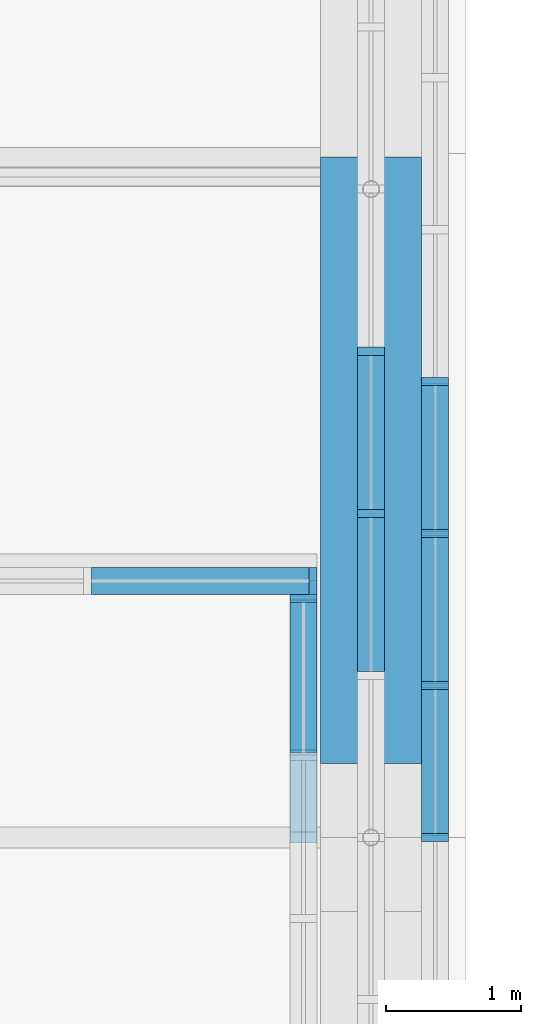
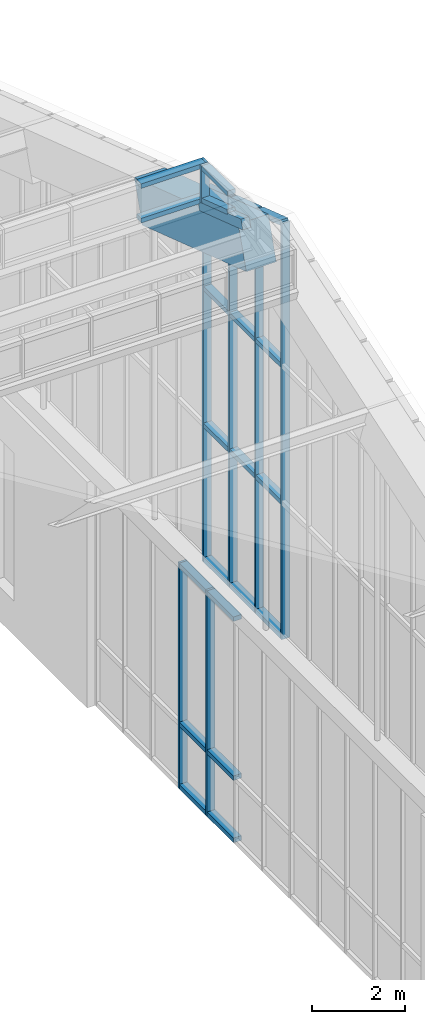
# One storey, part 98 of 149: 31 members, 1 beam, 4 elements without a shape of their own.
"""IFC4 building model written with IfcOpenShell, lengths in metres."""

import ifcopenshell
import ifcopenshell.guid

model = None  # the IFC model being written
_history = None  # IfcOwnerHistory: only IFC2X3 demands one
_inside = {}  # id of a spatial element -> (the spatial element, [elements in it])
_under = {}  # id of a project, library or spatial element -> (it, [spatial elements below it])
_declared = {}  # id of a project -> (the project, [libraries it declares])
_typed = {}  # id of a type object -> (the type object, [elements of that type])
_made_of = {}  # id of a material, layer set ... -> (it, [elements and type objects made of it])


def new_model(schema):
    """Start an empty IFC model of exactly this schema.

    Asked for "IFC4X3", IfcOpenShell would pick the latest addendum, in which some entities
    have other attributes; the version numbers below select the first issue.
    IFC2X3 requires an IfcOwnerHistory on every rooted entity: one is made here for all.
    """
    global model, _history
    if schema == "IFC4X3":
        model = ifcopenshell.file(schema_version=(4, 3, 0, 0))
    else:
        model = ifcopenshell.file(schema=schema)
    _inside.clear()
    _under.clear()
    _declared.clear()
    _typed.clear()
    _made_of.clear()
    _history = None
    if model.schema == "IFC2X3":
        org = make("IfcOrganization", Name="unknown")
        user = make(
            "IfcPersonAndOrganization",
            ThePerson=make("IfcPerson", FamilyName="unknown"),
            TheOrganization=org,
        )
        app = make(
            "IfcApplication",
            ApplicationDeveloper=org,
            Version="unknown",
            ApplicationFullName="unknown",
            ApplicationIdentifier="unknown",
        )
        _history = make(
            "IfcOwnerHistory",
            OwningUser=user,
            OwningApplication=app,
            ChangeAction="ADDED",
            CreationDate=0,
        )
    return model


def make(cls, **values):
    """One entity of the class cls with the attributes given. An attribute that is None is left unset."""
    return model.create_entity(
        cls, **{name: value for name, value in values.items() if value is not None}
    )


def rooted(cls, **values):
    """An entity with a GlobalId (a new one), such as an element, a storey or a relation."""
    return make(cls, GlobalId=ifcopenshell.guid.new(), OwnerHistory=_history, **values)


def si_unit(unit_type, name, prefix=None):
    """IfcSIUnit, for example si_unit("LENGTHUNIT", "METRE", prefix="MILLI")."""
    return make("IfcSIUnit", UnitType=unit_type, Prefix=prefix, Name=name)


def assignment(units):
    """IfcUnitAssignment: the units of a project."""
    return None if units is None else make("IfcUnitAssignment", Units=units)


def point(xyz):
    """IfcCartesianPoint."""
    return None if xyz is None else make("IfcCartesianPoint", Coordinates=xyz)


def direction(xyz):
    """IfcDirection."""
    return None if xyz is None else make("IfcDirection", DirectionRatios=xyz)


def frame(location, z_axis=None, x_axis=None):
    """IfcAxis2Placement3D, a coordinate frame: its origin and axes. An axis left out is left unset."""
    return make(
        "IfcAxis2Placement3D",
        Location=point(location),
        Axis=direction(z_axis),
        RefDirection=direction(x_axis),
    )


def frame_2d(location, x_axis=None):
    """IfcAxis2Placement2D, a coordinate frame in the plane: its origin and x axis."""
    return make(
        "IfcAxis2Placement2D", Location=point(location), RefDirection=direction(x_axis)
    )


def origin():
    """The frame at (0, 0, 0) with its axes left unset."""
    return frame((0.0, 0.0, 0.0))


def origin_2d():
    """The frame at (0, 0) in the plane with its x axis left unset."""
    return frame_2d((0.0, 0.0))


def place(relative_to, where):
    """IfcLocalPlacement: puts the frame where relative to a parent placement (None: the world)."""
    return make(
        "IfcLocalPlacement", PlacementRelTo=relative_to, RelativePlacement=where
    )


def context(
    kind, dimensions, precision=None, world=None, true_north=None, identifier=None
):
    """IfcGeometricRepresentationContext, for example the 3D "Model" context."""
    return make(
        "IfcGeometricRepresentationContext",
        ContextIdentifier=identifier,
        ContextType=kind,
        CoordinateSpaceDimension=dimensions,
        Precision=precision,
        WorldCoordinateSystem=world,
        TrueNorth=true_north,
    )


def subcontext(parent, identifier, kind, view, scale=None):
    """IfcGeometricRepresentationSubContext, for example "Body" below "Model"."""
    return make(
        "IfcGeometricRepresentationSubContext",
        ContextIdentifier=identifier,
        ContextType=kind,
        ParentContext=parent,
        TargetScale=scale,
        TargetView=view,
    )


def project(units=None, contexts=None):
    """IfcProject with its units and contexts."""
    return rooted(
        "IfcProject",
        Name="project",
        RepresentationContexts=contexts,
        UnitsInContext=assignment(units),
    )


def spatial(cls, under=None, at=None, **own):
    """A site, building, storey or space (cls), placed at a placement, below another one or the project."""
    s = rooted(cls, ObjectPlacement=at, **own)
    if under is not None:
        _under.setdefault(under.id(), (under, []))[1].append(s)
    return s


def profile(cls, at=None, kind="AREA", **sizes):
    """A parametric profile (cls). Its sizes go by their IFC names, for example OverallWidth=200.0."""
    return make(cls, ProfileType=kind, Position=at, **sizes)


def rectangle(**sizes):
    """IfcRectangleProfileDef."""
    return profile("IfcRectangleProfileDef", **sizes)


def extrude(swept, where, along, depth):
    """IfcExtrudedAreaSolid: the profile swept, set in the frame where, extruded along a direction by depth."""
    return make(
        "IfcExtrudedAreaSolid",
        SweptArea=swept,
        Position=where,
        ExtrudedDirection=direction(along),
        Depth=depth,
    )


def shape(context_of_items, identifier, shape_type, items):
    """IfcShapeRepresentation: the items that make up one representation, for example the "Body"."""
    return make(
        "IfcShapeRepresentation",
        ContextOfItems=context_of_items,
        RepresentationIdentifier=identifier,
        RepresentationType=shape_type,
        Items=items,
    )


def material(Name=None, Category=None):
    """IfcMaterial."""
    return make("IfcMaterial", Name=Name, Category=Category)


def material_profile(
    of_material, cross_section, Name=None, Category=None, Priority=None
):
    """IfcMaterialProfile: a cross section and its material."""
    return make(
        "IfcMaterialProfile",
        Name=Name,
        Material=of_material,
        Profile=cross_section,
        Priority=Priority,
        Category=Category,
    )


def profile_set(profiles, Name=None, composite=None):
    """IfcMaterialProfileSet."""
    return make(
        "IfcMaterialProfileSet",
        Name=Name,
        MaterialProfiles=profiles,
        CompositeProfile=composite,
    )


def made_of(thing, what):
    """Note that an element or type object is made of a material, layer set ...; save() writes the relation."""
    if what is not None:
        _made_of.setdefault(what.id(), (what, []))[1].append(thing)
    return thing


def type_object(cls, material=None, **own):
    """A type object (cls), such as IfcWallType, which elements share."""
    return made_of(rooted(cls, **own), material)


def element(
    cls,
    number,
    at=None,
    inside=None,
    cuts=None,
    type_object=None,
    material=None,
    context=None,
    identifier="Body",
    shape_type=None,
    held_by="IfcProductDefinitionShape",
    body=None,
    shapes=None,
    **own,
):
    """One element of the class cls, such as IfcWall. Its Tag is "e" and its number.

    at: its placement. inside: the storey or other place that contains it. cuts: it is an
    opening in that element (IfcRelVoidsElement). A single representation is given by context,
    identifier, shape_type and body (its items); several are given by shapes. held_by: the class
    of the entity that holds the representations. save() writes the other relations.
    """
    e = rooted(cls, Tag="e%d" % number, ObjectPlacement=at, **own)
    if body is not None:
        shapes = [shape(context, identifier, shape_type, body)]
    if shapes is not None:
        e.Representation = make(held_by, Representations=shapes)
    if inside is not None:
        _inside.setdefault(inside.id(), (inside, []))[1].append(e)
    if cuts is not None:
        rooted(
            "IfcRelVoidsElement", RelatingBuildingElement=cuts, RelatedOpeningElement=e
        )
    if type_object is not None:
        _typed.setdefault(type_object.id(), (type_object, []))[1].append(e)
    return made_of(e, material)


def aggregate(whole, parts):
    """IfcRelAggregates: a whole, such as a stair, and the parts it consists of."""
    return rooted("IfcRelAggregates", RelatingObject=whole, RelatedObjects=parts)


def save(model, path):
    """Write the relations noted so far, then the file.

    IfcRelAggregates (storeys below a building ...), IfcRelContainedInSpatialStructure (elements
    in a storey), IfcRelDefinesByType, IfcRelAssociatesMaterial and IfcRelDeclares: one each for
    every whole, place, type object, material and project.
    """
    for whole, parts in _under.values():
        aggregate(whole, parts)
    for where, things in _inside.values():
        rooted(
            "IfcRelContainedInSpatialStructure",
            RelatedElements=things,
            RelatingStructure=where,
        )
    for kind, things in _typed.values():
        rooted("IfcRelDefinesByType", RelatedObjects=things, RelatingType=kind)
    for what, things in _made_of.values():
        rooted("IfcRelAssociatesMaterial", RelatedObjects=things, RelatingMaterial=what)
    for by, libraries in _declared.values():
        rooted("IfcRelDeclares", RelatingContext=by, RelatedDefinitions=libraries)
    model.write(path)


model = new_model("IFC4")

# Units and contexts
model_context = context("Model", 3, precision=1e-05, world=origin(), true_north=direction((0.0, 1.0)))
body_context = subcontext(model_context, "Body", "Model", "MODEL_VIEW")
ifc_project = project(units=[si_unit("LENGTHUNIT", "METRE"), si_unit("AREAUNIT", "SQUARE_METRE"), si_unit("VOLUMEUNIT", "CUBIC_METRE"), si_unit("PLANEANGLEUNIT", "RADIAN"), si_unit("MASSUNIT", "GRAM", prefix="KILO")], contexts=[model_context])

# Site, building, storey
site_placement = place(None, origin())
site = spatial("IfcSite", under=ifc_project, at=site_placement, CompositionType="ELEMENT")
building_placement = place(site_placement, origin())
building = spatial("IfcBuilding", under=site, at=building_placement, Name="Alderwick Market Hall", CompositionType="ELEMENT")
storey_placement = place(building_placement, frame((0.0, 0.0, 9.60009765625)))
storey = spatial("IfcBuildingStorey", under=building, at=storey_placement, Name="L01", CompositionType="ELEMENT", Elevation=9.60009765625)

# Beam
ifc_material_1 = material(Name="Concrete 5000 psi (f'c 35 MPa)", Category="concrete")
ifc_material_profile_1 = material_profile(ifc_material_1, rectangle(XDim=0.75, YDim=1.10009765625, at=origin_2d()), Name="RC 750x1100")
ifc_profile_set_1 = profile_set([ifc_material_profile_1], Name="Concrete 5000 psi (f'c 35 MPa)")
beam_type = type_object("IfcBeamType", Name="R Arch Rib Crown 750x1100", PredefinedType="BEAM", material=ifc_profile_set_1)
beam_placement = place(storey_placement, frame((151.199951171875, 79.573974609375, 16.2861328125), z_axis=(0.0, 0.948672979153, -0.316258721025), x_axis=(-1.0, 0.0, 0.0)))
element("IfcBeam", 1, at=beam_placement, inside=storey, type_object=beam_type, Name="Arch rib 8 chord 7", PredefinedType="BEAM", context=body_context, shape_type="SweptSolid", body=[
    extrude(rectangle(XDim=0.75, YDim=1.10009765625, at=origin_2d()), origin(), (0.0, 0.0, 1.0), 4.732177734375),
])

# Curtain wall, members
ifc_material_2 = material(Name="Aluminium", Category="aluminium")
curtain_wall_type = type_object("IfcCurtainWallType", Name="R Curtain Wall Frame", PredefinedType="NOTDEFINED", material=ifc_material_2)
curtain_wall_1_placement = place(storey_placement, origin())
curtain_wall_1 = element("IfcCurtainWall", 2, at=curtain_wall_1_placement, inside=storey, type_object=curtain_wall_type, Name="Curtain wall GCW2", PredefinedType="NOTDEFINED")
ifc_material_profile_2 = material_profile(ifc_material_2, rectangle(XDim=0.199951171875, YDim=0.06005859375, at=origin_2d()), Name="AL 60x200")
ifc_profile_set_2 = profile_set([ifc_material_profile_2], Name="Aluminium")
member_type_1 = type_object("IfcMemberType", Name="R CW Mullion 60x200", PredefinedType="MULLION", material=ifc_profile_set_2)
member_1_placement = place(storey_placement, frame((151.199951171875, 81.60009765625, 0.0), z_axis=(0.0, 0.0, 1.0), x_axis=(1.0, 0.0, 0.0)))
member_1 = element("IfcMember", 3, at=member_1_placement, type_object=member_type_1, Name="GCW2 mullion 9", PredefinedType="MULLION", context=body_context, shape_type="SweptSolid", body=[
    extrude(rectangle(XDim=0.199951171875, YDim=0.06005859375, at=origin_2d()), origin(), (0.0, 0.0, 1.0), 5.94677734375),
])
member_2_placement = place(storey_placement, frame((151.199951171875, 82.800048828125, 0.0), z_axis=(0.0, 0.0, 1.0), x_axis=(1.0, 0.0, 0.0)))
member_2 = element("IfcMember", 4, at=member_2_placement, type_object=member_type_1, Name="GCW2 mullion 10", PredefinedType="MULLION", context=body_context, shape_type="SweptSolid", body=[
    extrude(rectangle(XDim=0.199951171875, YDim=0.06005859375, at=origin_2d()), origin(), (0.0, 0.0, 1.0), 5.94677734375),
])

curtain_wall_2_placement = place(storey_placement, origin())
curtain_wall_2 = element("IfcCurtainWall", 5, at=curtain_wall_2_placement, inside=storey, type_object=curtain_wall_type, Name="Curtain wall GCW3", PredefinedType="NOTDEFINED")
member_3_placement = place(storey_placement, frame((151.675048828125, 79.199951171875, 5.94677734375), z_axis=(0.0, 0.0, 1.0), x_axis=(1.0, 0.0, 0.0)))
member_3 = element("IfcMember", 6, at=member_3_placement, type_object=member_type_1, Name="GCW3 mullion 25", PredefinedType="MULLION", context=body_context, shape_type="SweptSolid", body=[
    extrude(rectangle(XDim=0.199951171875, YDim=0.06005859375, at=origin_2d()), origin(), (0.0, 0.0, 1.0), 10.95361328125),
])
member_4_placement = place(storey_placement, frame((151.675048828125, 80.324951171875, 5.94677734375), z_axis=(0.0, 0.0, 1.0), x_axis=(1.0, 0.0, 0.0)))
member_4 = element("IfcMember", 7, at=member_4_placement, type_object=member_type_1, Name="GCW3 mullion 26", PredefinedType="MULLION", context=body_context, shape_type="SweptSolid", body=[
    extrude(rectangle(XDim=0.199951171875, YDim=0.06005859375, at=origin_2d()), origin(), (0.0, 0.0, 1.0), 10.575439453125),
])
member_5_placement = place(storey_placement, frame((151.675048828125, 81.449951171875, 5.94677734375), z_axis=(0.0, 0.0, 1.0), x_axis=(1.0, 0.0, 0.0)))
member_5 = element("IfcMember", 8, at=member_5_placement, type_object=member_type_1, Name="GCW3 mullion 27", PredefinedType="MULLION", context=body_context, shape_type="SweptSolid", body=[
    extrude(rectangle(XDim=0.199951171875, YDim=0.06005859375, at=origin_2d()), origin(), (0.0, 0.0, 1.0), 10.200439453125),
])
member_6_placement = place(storey_placement, frame((151.675048828125, 82.574951171875, 5.94677734375), z_axis=(0.0, 0.0, 1.0), x_axis=(1.0, 0.0, 0.0)))
member_6 = element("IfcMember", 9, at=member_6_placement, type_object=member_type_1, Name="GCW3 mullion 28", PredefinedType="MULLION", context=body_context, shape_type="SweptSolid", body=[
    extrude(rectangle(XDim=0.199951171875, YDim=0.06005859375, at=origin_2d()), origin(), (0.0, 0.0, 1.0), 9.825439453125),
])

# Curtain wall, member
curtain_wall_3_placement = place(storey_placement, origin())
curtain_wall_3 = element("IfcCurtainWall", 10, at=curtain_wall_3_placement, inside=storey, type_object=curtain_wall_type, Name="Curtain wall LCW N7", PredefinedType="NOTDEFINED")
member_7_placement = place(storey_placement, frame((150.77001953125, 81.10009765625, 16.670166015625), z_axis=(0.0, 0.0, 1.0), x_axis=(0.0, 1.0, 0.0)))
member_7 = element("IfcMember", 11, at=member_7_placement, type_object=member_type_1, Name="LCW N7 mullion 9", PredefinedType="MULLION", context=body_context, shape_type="SweptSolid", body=[
    extrude(rectangle(XDim=0.199951171875, YDim=0.06005859375, at=origin_2d()), origin(), (0.0, 0.0, 1.0), 1.02978515625),
])

curtain_wall_4_placement = place(storey_placement, origin())
curtain_wall_4 = element("IfcCurtainWall", 12, at=curtain_wall_4_placement, inside=storey, type_object=curtain_wall_type, Name="Curtain wall LCW E7", PredefinedType="NOTDEFINED")
member_8_placement = place(storey_placement, frame((150.699951171875, 80.969970703125, 16.713623046875), z_axis=(0.0, 0.0, 1.0), x_axis=(1.0, 0.0, 0.0)))
member_8 = element("IfcMember", 13, at=member_8_placement, type_object=member_type_1, Name="LCW E7 mullion 4", PredefinedType="MULLION", context=body_context, shape_type="SweptSolid", body=[
    extrude(rectangle(XDim=0.199951171875, YDim=0.06005859375, at=origin_2d()), origin(), (0.0, 0.0, 1.0), 0.986328125),
])

# Member
ifc_material_profile_3 = material_profile(ifc_material_2, rectangle(XDim=0.199951171875, YDim=0.1201171875, at=origin_2d()), Name="AL 120x200")
ifc_profile_set_3 = profile_set([ifc_material_profile_3], Name="Aluminium")
member_type_2 = type_object("IfcMemberType", Name="R CW Transom 120x200", PredefinedType="USERDEFINED", material=ifc_profile_set_3)
member_9_placement = place(storey_placement, frame((151.199951171875, 80.429931640625, 0.059814453125), z_axis=(0.0, 1.0, 0.0), x_axis=(-1.0, 0.0, 0.0)))
member_9 = element("IfcMember", 14, at=member_9_placement, type_object=member_type_2, Name="GCW2 sill transom 8", ObjectType="TRANSOM", PredefinedType="USERDEFINED", context=body_context, shape_type="SweptSolid", body=[
    extrude(rectangle(XDim=0.199951171875, YDim=0.1201171875, at=origin_2d()), origin(), (0.0, 0.0, 1.0), 1.14013671875),
])

member_10_placement = place(storey_placement, frame((151.199951171875, 80.429931640625, 1.699951171875), z_axis=(0.0, 1.0, 0.0), x_axis=(-1.0, 0.0, 0.0)))
member_10 = element("IfcMember", 15, at=member_10_placement, type_object=member_type_2, Name="GCW2 transom 8.1", ObjectType="TRANSOM", PredefinedType="USERDEFINED", context=body_context, shape_type="SweptSolid", body=[
    extrude(rectangle(XDim=0.199951171875, YDim=0.1201171875, at=origin_2d()), origin(), (0.0, 0.0, 1.0), 1.14013671875),
])

member_11_placement = place(storey_placement, frame((151.199951171875, 80.429931640625, 5.88671875), z_axis=(0.0, 1.0, 0.0), x_axis=(-1.0, 0.0, 0.0)))
member_11 = element("IfcMember", 16, at=member_11_placement, type_object=member_type_2, Name="GCW2 head transom 8", ObjectType="TRANSOM", PredefinedType="USERDEFINED", context=body_context, shape_type="SweptSolid", body=[
    extrude(rectangle(XDim=0.199951171875, YDim=0.1201171875, at=origin_2d()), origin(), (0.0, 0.0, 1.0), 1.14013671875),
])

member_12_placement = place(storey_placement, frame((151.199951171875, 81.6298828125, 0.059814453125), z_axis=(0.0, 1.0, 0.0), x_axis=(-1.0, 0.0, 0.0)))
member_12 = element("IfcMember", 17, at=member_12_placement, type_object=member_type_2, Name="GCW2 sill transom 9", ObjectType="TRANSOM", PredefinedType="USERDEFINED", context=body_context, shape_type="SweptSolid", body=[
    extrude(rectangle(XDim=0.199951171875, YDim=0.1201171875, at=origin_2d()), origin(), (0.0, 0.0, 1.0), 1.14013671875),
])

member_13_placement = place(storey_placement, frame((151.199951171875, 81.6298828125, 1.699951171875), z_axis=(0.0, 1.0, 0.0), x_axis=(-1.0, 0.0, 0.0)))
member_13 = element("IfcMember", 18, at=member_13_placement, type_object=member_type_2, Name="GCW2 transom 9.1", ObjectType="TRANSOM", PredefinedType="USERDEFINED", context=body_context, shape_type="SweptSolid", body=[
    extrude(rectangle(XDim=0.199951171875, YDim=0.1201171875, at=origin_2d()), origin(), (0.0, 0.0, 1.0), 1.14013671875),
])

member_14_placement = place(storey_placement, frame((151.199951171875, 81.6298828125, 5.88671875), z_axis=(0.0, 1.0, 0.0), x_axis=(-1.0, 0.0, 0.0)))
member_14 = element("IfcMember", 19, at=member_14_placement, type_object=member_type_2, Name="GCW2 head transom 9", ObjectType="TRANSOM", PredefinedType="USERDEFINED", context=body_context, shape_type="SweptSolid", body=[
    extrude(rectangle(XDim=0.199951171875, YDim=0.1201171875, at=origin_2d()), origin(), (0.0, 0.0, 1.0), 1.14013671875),
])

aggregate(curtain_wall_1, [member_1, member_2, member_9, member_10, member_11, member_12, member_13, member_14])

member_15_placement = place(storey_placement, frame((151.675048828125, 79.22998046875, 6.006591796875), z_axis=(0.0, 1.0, 0.0), x_axis=(-1.0, 0.0, 0.0)))
member_15 = element("IfcMember", 20, at=member_15_placement, type_object=member_type_2, Name="GCW3 sill transom 25", ObjectType="TRANSOM", PredefinedType="USERDEFINED", context=body_context, shape_type="SweptSolid", body=[
    extrude(rectangle(XDim=0.199951171875, YDim=0.1201171875, at=origin_2d()), origin(), (0.0, 0.0, 1.0), 1.06494140625),
])

member_16_placement = place(storey_placement, frame((151.675048828125, 79.22998046875, 9.546630859375), z_axis=(0.0, 1.0, 0.0), x_axis=(-1.0, 0.0, 0.0)))
member_16 = element("IfcMember", 21, at=member_16_placement, type_object=member_type_2, Name="GCW3 transom 25.1", ObjectType="TRANSOM", PredefinedType="USERDEFINED", context=body_context, shape_type="SweptSolid", body=[
    extrude(rectangle(XDim=0.199951171875, YDim=0.1201171875, at=origin_2d()), origin(), (0.0, 0.0, 1.0), 1.06494140625),
])

member_17_placement = place(storey_placement, frame((151.675048828125, 79.22998046875, 13.146728515625), z_axis=(0.0, 1.0, 0.0), x_axis=(-1.0, 0.0, 0.0)))
member_17 = element("IfcMember", 22, at=member_17_placement, type_object=member_type_2, Name="GCW3 transom 25.2", ObjectType="TRANSOM", PredefinedType="USERDEFINED", context=body_context, shape_type="SweptSolid", body=[
    extrude(rectangle(XDim=0.199951171875, YDim=0.1201171875, at=origin_2d()), origin(), (0.0, 0.0, 1.0), 1.06494140625),
])

member_18_placement = place(storey_placement, frame((151.675048828125, 79.22998046875, 16.88720703125), z_axis=(0.0, 0.948683298051, -0.316227766017), x_axis=(-1.0, 0.0, 0.0)))
member_18 = element("IfcMember", 23, at=member_18_placement, type_object=member_type_2, Name="GCW3 arch cap 25", ObjectType="TRANSOM", PredefinedType="USERDEFINED", context=body_context, shape_type="SweptSolid", body=[
    extrude(rectangle(XDim=0.199951171875, YDim=0.1201171875, at=origin_2d()), origin(), (0.0, 0.0, 1.0), 1.12255859375),
])

member_19_placement = place(storey_placement, frame((151.675048828125, 80.35498046875, 6.006591796875), z_axis=(0.0, 1.0, 0.0), x_axis=(-1.0, 0.0, 0.0)))
member_19 = element("IfcMember", 24, at=member_19_placement, type_object=member_type_2, Name="GCW3 sill transom 26", ObjectType="TRANSOM", PredefinedType="USERDEFINED", context=body_context, shape_type="SweptSolid", body=[
    extrude(rectangle(XDim=0.199951171875, YDim=0.1201171875, at=origin_2d()), origin(), (0.0, 0.0, 1.0), 1.06494140625),
])

member_20_placement = place(storey_placement, frame((151.675048828125, 80.35498046875, 9.546630859375), z_axis=(0.0, 1.0, 0.0), x_axis=(-1.0, 0.0, 0.0)))
member_20 = element("IfcMember", 25, at=member_20_placement, type_object=member_type_2, Name="GCW3 transom 26.1", ObjectType="TRANSOM", PredefinedType="USERDEFINED", context=body_context, shape_type="SweptSolid", body=[
    extrude(rectangle(XDim=0.199951171875, YDim=0.1201171875, at=origin_2d()), origin(), (0.0, 0.0, 1.0), 1.06494140625),
])

member_21_placement = place(storey_placement, frame((151.675048828125, 80.35498046875, 13.146728515625), z_axis=(0.0, 1.0, 0.0), x_axis=(-1.0, 0.0, 0.0)))
member_21 = element("IfcMember", 26, at=member_21_placement, type_object=member_type_2, Name="GCW3 transom 26.2", ObjectType="TRANSOM", PredefinedType="USERDEFINED", context=body_context, shape_type="SweptSolid", body=[
    extrude(rectangle(XDim=0.199951171875, YDim=0.1201171875, at=origin_2d()), origin(), (0.0, 0.0, 1.0), 1.06494140625),
])

member_22_placement = place(storey_placement, frame((151.675048828125, 80.35498046875, 16.51220703125), z_axis=(0.0, 0.948683298051, -0.316227766017), x_axis=(-1.0, 0.0, 0.0)))
member_22 = element("IfcMember", 27, at=member_22_placement, type_object=member_type_2, Name="GCW3 arch cap 26", ObjectType="TRANSOM", PredefinedType="USERDEFINED", context=body_context, shape_type="SweptSolid", body=[
    extrude(rectangle(XDim=0.199951171875, YDim=0.1201171875, at=origin_2d()), origin(), (0.0, 0.0, 1.0), 1.12255859375),
])

member_23_placement = place(storey_placement, frame((151.675048828125, 81.47998046875, 6.006591796875), z_axis=(0.0, 1.0, 0.0), x_axis=(-1.0, 0.0, 0.0)))
member_23 = element("IfcMember", 28, at=member_23_placement, type_object=member_type_2, Name="GCW3 sill transom 27", ObjectType="TRANSOM", PredefinedType="USERDEFINED", context=body_context, shape_type="SweptSolid", body=[
    extrude(rectangle(XDim=0.199951171875, YDim=0.1201171875, at=origin_2d()), origin(), (0.0, 0.0, 1.0), 1.06494140625),
])

member_24_placement = place(storey_placement, frame((151.675048828125, 81.47998046875, 9.546630859375), z_axis=(0.0, 1.0, 0.0), x_axis=(-1.0, 0.0, 0.0)))
member_24 = element("IfcMember", 29, at=member_24_placement, type_object=member_type_2, Name="GCW3 transom 27.1", ObjectType="TRANSOM", PredefinedType="USERDEFINED", context=body_context, shape_type="SweptSolid", body=[
    extrude(rectangle(XDim=0.199951171875, YDim=0.1201171875, at=origin_2d()), origin(), (0.0, 0.0, 1.0), 1.06494140625),
])

member_25_placement = place(storey_placement, frame((151.675048828125, 81.47998046875, 13.146728515625), z_axis=(0.0, 1.0, 0.0), x_axis=(-1.0, 0.0, 0.0)))
member_25 = element("IfcMember", 30, at=member_25_placement, type_object=member_type_2, Name="GCW3 transom 27.2", ObjectType="TRANSOM", PredefinedType="USERDEFINED", context=body_context, shape_type="SweptSolid", body=[
    extrude(rectangle(XDim=0.199951171875, YDim=0.1201171875, at=origin_2d()), origin(), (0.0, 0.0, 1.0), 1.06494140625),
])

member_26_placement = place(storey_placement, frame((151.675048828125, 81.47998046875, 16.13720703125), z_axis=(0.0, 0.948683298051, -0.316227766017), x_axis=(-1.0, 0.0, 0.0)))
member_26 = element("IfcMember", 31, at=member_26_placement, type_object=member_type_2, Name="GCW3 arch cap 27", ObjectType="TRANSOM", PredefinedType="USERDEFINED", context=body_context, shape_type="SweptSolid", body=[
    extrude(rectangle(XDim=0.199951171875, YDim=0.1201171875, at=origin_2d()), origin(), (0.0, 0.0, 1.0), 1.12255859375),
])

aggregate(curtain_wall_2, [member_3, member_4, member_5, member_6, member_15, member_16, member_17, member_18, member_19, member_20, member_21, member_22, member_23, member_24, member_25, member_26])

member_27_placement = place(storey_placement, frame((149.1298828125, 81.10009765625, 16.730224609375), z_axis=(1.0, 0.0, 0.0), x_axis=(0.0, 1.0, 0.0)))
member_27 = element("IfcMember", 32, at=member_27_placement, type_object=member_type_2, Name="LCW N7 sill transom 8", ObjectType="TRANSOM", PredefinedType="USERDEFINED", context=body_context, shape_type="SweptSolid", body=[
    extrude(rectangle(XDim=0.199951171875, YDim=0.1201171875, at=origin_2d()), origin(), (0.0, 0.0, 1.0), 1.610107421875),
])

member_28_placement = place(storey_placement, frame((149.1298828125, 81.10009765625, 17.639892578125), z_axis=(1.0, 0.0, 0.0), x_axis=(0.0, 1.0, 0.0)))
member_28 = element("IfcMember", 33, at=member_28_placement, type_object=member_type_2, Name="LCW N7 head transom 8", ObjectType="TRANSOM", PredefinedType="USERDEFINED", context=body_context, shape_type="SweptSolid", body=[
    extrude(rectangle(XDim=0.199951171875, YDim=0.1201171875, at=origin_2d()), origin(), (0.0, 0.0, 1.0), 1.610107421875),
])

aggregate(curtain_wall_3, [member_7, member_27, member_28])

member_29_placement = place(storey_placement, frame((150.699951171875, 79.830078125, 17.153564453125), z_axis=(0.0, 0.948641554568, -0.316352968923), x_axis=(-1.0, 0.0, 0.0)))
member_29 = element("IfcMember", 34, at=member_29_placement, type_object=member_type_2, Name="LCW E7 sill transom 3", ObjectType="TRANSOM", PredefinedType="USERDEFINED", context=body_context, shape_type="SweptSolid", body=[
    extrude(rectangle(XDim=0.199951171875, YDim=0.1201171875, at=origin_2d()), origin(), (0.0, 0.0, 1.0), 1.169921875),
])

member_30_placement = place(storey_placement, frame((150.699951171875, 79.830078125, 17.639892578125), z_axis=(0.0, 1.0, 0.0), x_axis=(-1.0, 0.0, 0.0)))
member_30 = element("IfcMember", 35, at=member_30_placement, type_object=member_type_2, Name="LCW E7 head transom 3", ObjectType="TRANSOM", PredefinedType="USERDEFINED", context=body_context, shape_type="SweptSolid", body=[
    extrude(rectangle(XDim=0.199951171875, YDim=0.1201171875, at=origin_2d()), origin(), (0.0, 0.0, 1.0), 1.10986328125),
])

ifc_material_3 = material(Name="Steel ASTM A572 Grade 50", Category="steel")
ifc_material_profile_4 = material_profile(ifc_material_3, rectangle(XDim=0.199951171875, YDim=0.25, at=origin_2d()), Name="Steel plate curb 200x250")
ifc_profile_set_4 = profile_set([ifc_material_profile_4], Name="Steel ASTM A572 Grade 50")
member_type_3 = type_object("IfcMemberType", Name="R Lantern Curb 200x250", PredefinedType="MEMBER", material=ifc_profile_set_4)
member_31_placement = place(storey_placement, frame((150.699951171875, 79.199951171875, 17.20654296875), z_axis=(0.0, 0.948695716428, -0.316190508447), x_axis=(-1.0, 0.0, 0.0)))
member_31 = element("IfcMember", 36, at=member_31_placement, type_object=member_type_3, Name="Lantern end curb E7.2", PredefinedType="MEMBER", context=body_context, shape_type="SweptSolid", body=[
    extrude(rectangle(XDim=0.199951171875, YDim=0.25, at=origin_2d()), origin(), (0.0, 0.0, 1.0), 1.9658203125),
])

aggregate(curtain_wall_4, [member_8, member_29, member_30, member_31])

save(model, "model.ifc")
